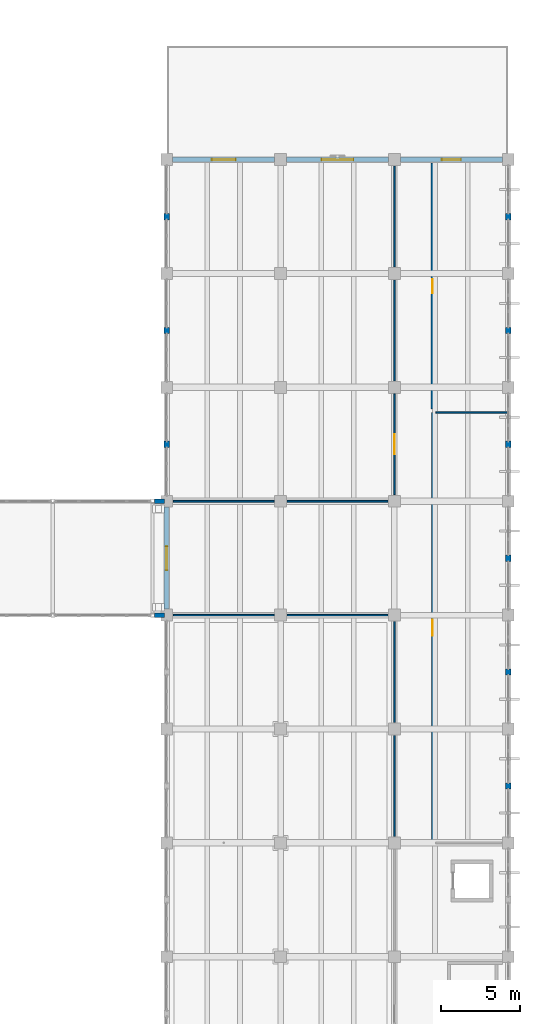
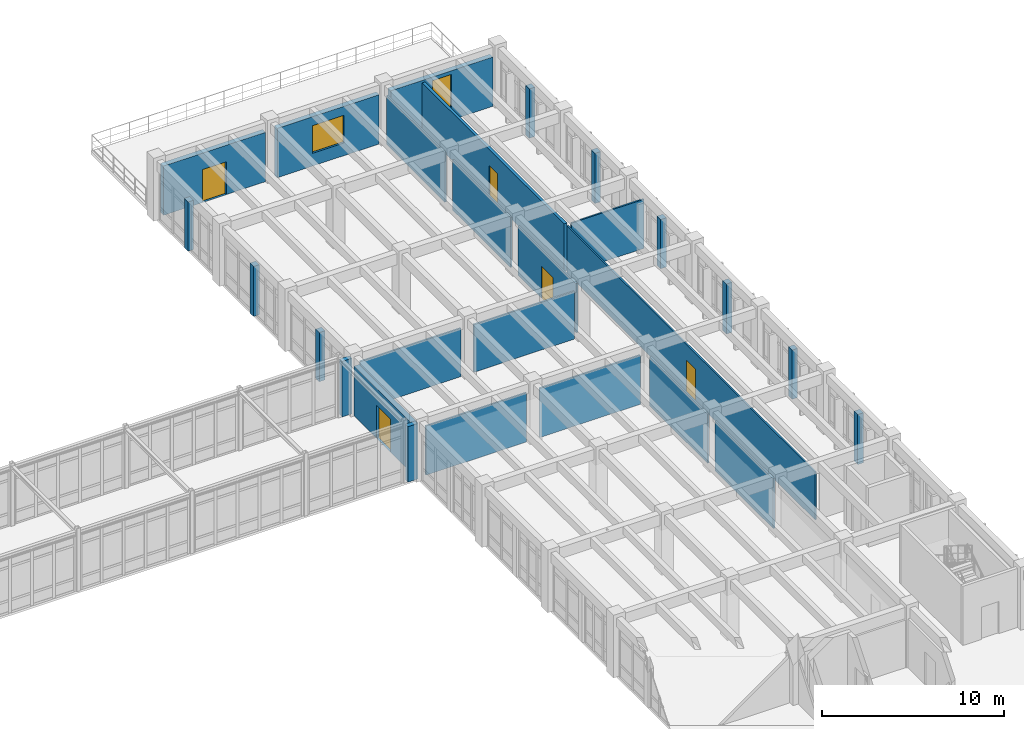
# One storey, part 118 of 136: 27 walls, 5 doors, 2 windows, 7 openings.
"""IFC4 building model written with IfcOpenShell, lengths in metres."""

from ifc_helpers import new_model, si_unit, direction, frame, frame_2d, origin, place, context, subcontext, project, spatial, rectangle, extrude, material, layer, layer_set, type_object, element, fill, save


model = new_model("IFC4")

# Units and contexts
model_context = context("Model", 3, precision=1e-05, world=origin(), true_north=direction((0.0, 1.0)))
body_context = subcontext(model_context, "Body", "Model", "MODEL_VIEW")
ifc_project = project(units=[si_unit("LENGTHUNIT", "METRE"), si_unit("AREAUNIT", "SQUARE_METRE"), si_unit("VOLUMEUNIT", "CUBIC_METRE"), si_unit("PLANEANGLEUNIT", "RADIAN"), si_unit("MASSUNIT", "GRAM", prefix="KILO")], contexts=[model_context])

# Site, building, storey
site_placement = place(None, origin())
site = spatial("IfcSite", under=ifc_project, at=site_placement, CompositionType="ELEMENT")
building_placement = place(site_placement, origin())
building = spatial("IfcBuilding", under=site, at=building_placement, Name="Koriwan Promenade Central Fire Station", CompositionType="ELEMENT")
storey_placement = place(building_placement, frame((0.0, 0.0, 5.39990234375)))
storey = spatial("IfcBuildingStorey", under=building, at=storey_placement, Name="L01", CompositionType="ELEMENT", Elevation=5.39990234375)

# Walls
ifc_material_1 = material(Name="Natural sillar sandstone ashlar", Category="masonry")
ifc_layer_1 = layer(ifc_material_1, 0.360107421875, Name="Natural sillar sandstone ashlar")
ifc_layer_set_1 = layer_set([ifc_layer_1], Name="Natural sillar sandstone ashlar")
wall_type_1 = type_object("IfcWallType", Name="ExtWall_SillarBase_360", PredefinedType="SOLIDWALL", material=ifc_layer_set_1)
wall_1_placement = place(storey_placement, frame((151.199951171875, 53.800048828125, 0.0), z_axis=(0.0, 0.0, 1.0), x_axis=(0.0, 1.0, 0.0)))
element("IfcWall", 1, at=wall_1_placement, inside=storey, type_object=wall_type_1, Name="V5 L01 sillar facade mullion pier 247", PredefinedType="SOLIDWALL", context=body_context, shape_type="SweptSolid", body=[
    extrude(rectangle(XDim=0.39990234375, YDim=0.360107421875, at=frame_2d((0.199951171875, 0.0))), origin(), (0.0, 0.0, 1.0), 3.2900390625),
])
wall_2_placement = place(storey_placement, frame((151.199951171875, 61.0, 0.0), z_axis=(0.0, 0.0, 1.0), x_axis=(0.0, 1.0, 0.0)))
element("IfcWall", 2, at=wall_2_placement, inside=storey, type_object=wall_type_1, Name="V5 L01 sillar facade mullion pier 248", PredefinedType="SOLIDWALL", context=body_context, shape_type="SweptSolid", body=[
    extrude(rectangle(XDim=0.39990234375, YDim=0.360107421875, at=frame_2d((0.199951171875, 0.0))), origin(), (0.0, 0.0, 1.0), 3.35009765625),
])
for number, where, z_axis, x_axis, name in (
    (3, (151.199951171875, 68.199951171875, 0.0), (0.0, 0.0, 1.0), (0.0, 1.0, 0.0), "V5 L01 sillar facade mullion pier 249"),
    (4, (172.800048828125, 68.60009765625, 0.0), (0.0, 0.0, 1.0), (0.0, -1.0, 0.0), "V5 L01 sillar facade mullion pier 253"),
):
    element("IfcWall", number, at=place(storey_placement, frame(where, z_axis=z_axis, x_axis=x_axis)), inside=storey, type_object=wall_type_1, Name=name, PredefinedType="SOLIDWALL", context=body_context, shape_type="SweptSolid", body=[
        extrude(rectangle(XDim=0.400146484375, YDim=0.360107421875, at=frame_2d((0.2001953125, 0.0))), origin(), (0.0, 0.0, 1.0), 3.300048828125),
    ])
wall_3_placement = place(storey_placement, frame((172.800048828125, 61.39990234375, 0.0), z_axis=(0.0, 0.0, 1.0), x_axis=(0.0, -1.0, 0.0)))
element("IfcWall", 5, at=wall_3_placement, inside=storey, type_object=wall_type_1, Name="V5 L01 sillar facade mullion pier 254", PredefinedType="SOLIDWALL", context=body_context, shape_type="SweptSolid", body=[
    extrude(rectangle(XDim=0.39990234375, YDim=0.360107421875, at=frame_2d((0.199951171875, 0.0))), origin(), (0.0, 0.0, 1.0), 3.35009765625),
])
wall_4_placement = place(storey_placement, frame((172.800048828125, 54.199951171875, 0.0), z_axis=(0.0, 0.0, 1.0), x_axis=(0.0, -1.0, 0.0)))
element("IfcWall", 6, at=wall_4_placement, inside=storey, type_object=wall_type_1, Name="V5 L01 sillar facade mullion pier 255", PredefinedType="SOLIDWALL", context=body_context, shape_type="SweptSolid", body=[
    extrude(rectangle(XDim=0.39990234375, YDim=0.360107421875, at=frame_2d((0.199951171875, 0.0))), origin(), (0.0, 0.0, 1.0), 3.2900390625),
])
wall_5_placement = place(storey_placement, frame((172.800048828125, 47.0, 0.0), z_axis=(0.0, 0.0, 1.0), x_axis=(0.0, -1.0, 0.0)))
element("IfcWall", 7, at=wall_5_placement, inside=storey, type_object=wall_type_1, Name="V5 L01 sillar facade mullion pier 256", PredefinedType="SOLIDWALL", context=body_context, shape_type="SweptSolid", body=[
    extrude(rectangle(XDim=0.39990234375, YDim=0.360107421875, at=frame_2d((0.199951171875, 0.0))), origin(), (0.0, 0.0, 1.0), 3.340087890625),
])
wall_6_placement = place(storey_placement, frame((172.800048828125, 39.800048828125, 0.0), z_axis=(0.0, 0.0, 1.0), x_axis=(0.0, -1.0, 0.0)))
element("IfcWall", 8, at=wall_6_placement, inside=storey, type_object=wall_type_1, Name="V5 L01 sillar facade mullion pier 257", PredefinedType="SOLIDWALL", context=body_context, shape_type="SweptSolid", body=[
    extrude(rectangle(XDim=0.400146484375, YDim=0.360107421875, at=frame_2d((0.2001953125, 0.0))), origin(), (0.0, 0.0, 1.0), 3.2900390625),
])
wall_7_placement = place(storey_placement, frame((172.800048828125, 32.60009765625, 0.0), z_axis=(0.0, 0.0, 1.0), x_axis=(0.0, -1.0, 0.0)))
element("IfcWall", 9, at=wall_7_placement, inside=storey, type_object=wall_type_1, Name="V5 L01 sillar facade mullion pier 258", PredefinedType="SOLIDWALL", context=body_context, shape_type="SweptSolid", body=[
    extrude(rectangle(XDim=0.400146484375, YDim=0.360107421875, at=frame_2d((0.2001953125, 0.0))), origin(), (0.0, 0.0, 1.0), 3.340087890625),
])
ifc_material_2 = material(Name="Precast concrete C40/50", Category="concrete")
ifc_layer_2 = layer(ifc_material_2, 0.280029296875, Name="Precast concrete C40/50")
ifc_layer_set_2 = layer_set([ifc_layer_2], Name="Precast concrete C40/50")
wall_type_2 = type_object("IfcWallType", Name="ExtWall_Terracotta_280", PredefinedType="ELEMENTEDWALL", material=ifc_layer_set_2)
for number, where, z_axis, x_axis, name in (
    (10, (150.425048828125, 43.199951171875, 0.0), (0.0, 0.0, 1.0), (1.0, 0.0, 0.0), "Bridge seismic joint closure panel S-363"),
    (11, (150.425048828125, 50.39990234375, 0.0), (0.0, 0.0, 1.0), (1.0, 0.0, 0.0), "Bridge seismic joint closure panel N-364"),
):
    element("IfcWall", number, at=place(storey_placement, frame(where, z_axis=z_axis, x_axis=x_axis)), inside=storey, type_object=wall_type_2, Name=name, PredefinedType="ELEMENTEDWALL", context=body_context, shape_type="SweptSolid", body=[
        extrude(rectangle(XDim=0.625, YDim=0.280029296875, at=frame_2d((0.3125, 0.0))), origin(), (0.0, 0.0, 1.0), 3.72021484375),
    ])

# Wall, opening, door
ifc_layer_3 = layer(ifc_material_2, 0.320068359375, Name="Precast concrete C40/50")
ifc_layer_set_3 = layer_set([ifc_layer_3], Name="Precast concrete C40/50")
wall_type_3 = type_object("IfcWallType", Name="ExtWall_Terracotta_320", PredefinedType="ELEMENTEDWALL", material=ifc_layer_set_3)
wall_8_placement = place(storey_placement, frame((151.199951171875, 43.574951171875, 0.0), z_axis=(0.0, 0.0, 1.0), x_axis=(0.0, 1.0, 0.0)))
wall_8 = element("IfcWall", 12, at=wall_8_placement, inside=storey, type_object=wall_type_3, Name="V5 L01 exterior wall 246", PredefinedType="ELEMENTEDWALL", context=body_context, shape_type="SweptSolid", body=[
    extrude(rectangle(XDim=6.449951171875, YDim=0.320068359375, at=frame_2d((3.22509765625, 0.0))), origin(), (0.0, 0.0, 1.0), 3.340087890625),
])
opening_1_placement = place(wall_8_placement, frame((2.47509765625, 0.0, 0.0)))
opening_1 = element("IfcOpeningElement", 13, at=opening_1_placement, cuts=wall_8, Name="Opening BD-024", PredefinedType="OPENING", context=body_context, shape_type="SweptSolid", body=[
    extrude(rectangle(XDim=1.5, YDim=2.199951171875, at=frame_2d((0.75, 1.10009765625))), frame((0.0, 0.171875, 0.0), z_axis=(0.0, -1.0, 0.0), x_axis=(1.0, 0.0, 0.0)), (0.0, 0.0, 1.0), 0.343994140625),
])
ifc_material_3 = material(Name="Aluminium EN AW-6063-T6 and laminated safety glass", Category="aluminium")
door_type_1 = type_object("IfcDoorType", Name="TerraceDoor_1500x2200", OperationType="DOUBLE_SWING_LEFT", PredefinedType="DOOR", material=ifc_material_3)
door_1_placement = place(opening_1_placement, origin())
door_1 = element("IfcDoor", 14, at=door_1_placement, inside=storey, type_object=door_type_1, Name="V5 L01 Link Bridge Level-Threshold Door BD-024", OperationType="DOUBLE_SWING_LEFT", OverallHeight=2.199951171875, OverallWidth=1.5, PredefinedType="DOOR", context=body_context, shape_type="SweptSolid", body=[
    extrude(rectangle(XDim=1.5, YDim=2.199951171875, at=frame_2d((0.75, 1.10009765625))), frame((0.0, 0.02490234375, 0.0), z_axis=(0.0, -1.0, 0.0), x_axis=(1.0, 0.0, 0.0)), (0.0, 0.0, 1.0), 0.050048828125),
])
fill(opening_1, door_1)

wall_9_placement = place(storey_placement, frame((151.574951171875, 72.0, 0.0), z_axis=(0.0, 0.0, 1.0), x_axis=(1.0, 0.0, 0.0)))
wall_9 = element("IfcWall", 15, at=wall_9_placement, inside=storey, type_object=wall_type_3, Name="V5 L01 exterior wall 250", PredefinedType="ELEMENTEDWALL", context=body_context, shape_type="SweptSolid", body=[
    extrude(rectangle(XDim=6.449951171875, YDim=0.320068359375, at=frame_2d((3.22509765625, 0.0))), origin(), (0.0, 0.0, 1.0), 3.300048828125),
])
opening_2_placement = place(wall_9_placement, frame((2.47509765625, 0.0, 0.0)))
opening_2 = element("IfcOpeningElement", 16, at=opening_2_placement, cuts=wall_9, Name="Opening TD-025", PredefinedType="OPENING", context=body_context, shape_type="SweptSolid", body=[
    extrude(rectangle(XDim=1.5, YDim=2.199951171875, at=frame_2d((0.75, 1.10009765625))), frame((0.0, 0.171875, 0.0), z_axis=(0.0, -1.0, 0.0), x_axis=(1.0, 0.0, 0.0)), (0.0, 0.0, 1.0), 0.343994140625),
])
door_2_placement = place(opening_2_placement, origin())
door_2 = element("IfcDoor", 17, at=door_2_placement, inside=storey, type_object=door_type_1, Name="V5 L01 Terrace Access Door TD-025", OperationType="DOUBLE_SWING_LEFT", OverallHeight=2.199951171875, OverallWidth=1.5, PredefinedType="DOOR", context=body_context, shape_type="SweptSolid", body=[
    extrude(rectangle(XDim=1.5, YDim=2.199951171875, at=frame_2d((0.75, 1.10009765625))), frame((0.0, 0.02490234375, 0.0), z_axis=(0.0, -1.0, 0.0), x_axis=(1.0, 0.0, 0.0)), (0.0, 0.0, 1.0), 0.050048828125),
])
fill(opening_2, door_2)

# Wall, opening, window
wall_10_placement = place(storey_placement, frame((158.77490234375, 72.0, 0.0), z_axis=(0.0, 0.0, 1.0), x_axis=(1.0, 0.0, 0.0)))
wall_10 = element("IfcWall", 18, at=wall_10_placement, inside=storey, type_object=wall_type_3, Name="V5 L01 exterior wall 251", PredefinedType="ELEMENTEDWALL", context=body_context, shape_type="SweptSolid", body=[
    extrude(rectangle(XDim=6.4501953125, YDim=0.320068359375, at=frame_2d((3.22509765625, 0.0))), origin(), (0.0, 0.0, 1.0), 3.300048828125),
])
opening_3_placement = place(wall_10_placement, frame((2.22509765625, 0.0, 0.85009765625)))
opening_3 = element("IfcOpeningElement", 19, at=opening_3_placement, cuts=wall_10, Name="Opening W-16", PredefinedType="OPENING", context=body_context, shape_type="SweptSolid", body=[
    extrude(rectangle(XDim=2.0, YDim=1.85009765625, at=frame_2d((1.0, 0.925048828125))), frame((0.0, 0.171875, 0.0), z_axis=(0.0, -1.0, 0.0), x_axis=(1.0, 0.0, 0.0)), (0.0, 0.0, 1.0), 0.343994140625),
])
ifc_material_4 = material(Name="Solar-control low-E laminated double glazing", Category="glass")
window_type_1 = type_object("IfcWindowType", Name="Win_Studio_2000x1850", PartitioningType="SINGLE_PANEL", PredefinedType="WINDOW", material=ifc_material_4)
window_1_placement = place(opening_3_placement, origin())
window_1 = element("IfcWindow", 20, at=window_1_placement, inside=storey, type_object=window_type_1, Name="V5 L01 window 0096", OverallHeight=1.85009765625, OverallWidth=2.0, PartitioningType="SINGLE_PANEL", PredefinedType="WINDOW", context=body_context, shape_type="SweptSolid", body=[
    extrude(rectangle(XDim=2.0, YDim=1.85009765625, at=frame_2d((1.0, 0.925048828125))), frame((0.0, 0.030029296875, 0.0), z_axis=(0.0, -1.0, 0.0), x_axis=(1.0, 0.0, 0.0)), (0.0, 0.0, 1.0), 0.06005859375),
])
fill(opening_3, window_1)

wall_11_placement = place(storey_placement, frame((165.97509765625, 72.0, 0.0), z_axis=(0.0, 0.0, 1.0), x_axis=(1.0, 0.0, 0.0)))
wall_11 = element("IfcWall", 21, at=wall_11_placement, inside=storey, type_object=wall_type_3, Name="V5 L01 exterior wall 252", PredefinedType="ELEMENTEDWALL", context=body_context, shape_type="SweptSolid", body=[
    extrude(rectangle(XDim=6.449951171875, YDim=0.320068359375, at=frame_2d((3.22509765625, 0.0))), origin(), (0.0, 0.0, 1.0), 3.300048828125),
])
opening_4_placement = place(wall_11_placement, frame((2.625, 0.0, 0.85009765625)))
opening_4 = element("IfcOpeningElement", 22, at=opening_4_placement, cuts=wall_11, Name="Opening W-01", PredefinedType="OPENING", context=body_context, shape_type="SweptSolid", body=[
    extrude(rectangle(XDim=1.199951171875, YDim=2.199951171875, at=frame_2d((0.60009765625, 1.10009765625))), frame((0.0, 0.171875, 0.0), z_axis=(0.0, -1.0, 0.0), x_axis=(1.0, 0.0, 0.0)), (0.0, 0.0, 1.0), 0.343994140625),
])
window_type_2 = type_object("IfcWindowType", Name="Win_Jharokha_1200x2200", PartitioningType="SINGLE_PANEL", PredefinedType="WINDOW", material=ifc_material_4)
window_2_placement = place(opening_4_placement, origin())
window_2 = element("IfcWindow", 23, at=window_2_placement, inside=storey, type_object=window_type_2, Name="V5 L01 window 0097", OverallHeight=2.199951171875, OverallWidth=1.199951171875, PartitioningType="SINGLE_PANEL", PredefinedType="WINDOW", context=body_context, shape_type="SweptSolid", body=[
    extrude(rectangle(XDim=1.199951171875, YDim=2.199951171875, at=frame_2d((0.60009765625, 1.10009765625))), frame((0.0, 0.030029296875, 0.0), z_axis=(0.0, -1.0, 0.0), x_axis=(1.0, 0.0, 0.0)), (0.0, 0.0, 1.0), 0.06005859375),
])
fill(opening_4, window_2)

# Walls
ifc_material_5 = material(Name="Gypsum board acoustic stud partition", Category="gypsum")
ifc_layer_4 = layer(ifc_material_5, 0.10009765625, Name="Gypsum board acoustic stud partition")
ifc_layer_set_4 = layer_set([ifc_layer_4], Name="Gypsum board acoustic stud partition")
wall_type_4 = type_object("IfcWallType", Name="IntWall_Drywall_100", PredefinedType="PARTITIONING", material=ifc_layer_set_4)
wall_12_placement = place(storey_placement, frame((165.60009765625, 29.215087890625, 0.0), z_axis=(0.0, 0.0, 1.0), x_axis=(0.0, 1.0, 0.0)))
element("IfcWall", 24, at=wall_12_placement, inside=storey, type_object=wall_type_4, Name="Metropolitan Brigade Operations Office partition E", PredefinedType="PARTITIONING", context=body_context, shape_type="SweptSolid", body=[
    extrude(rectangle(XDim=6.369873046875, YDim=0.10009765625, at=frame_2d((3.18505859375, 0.0))), origin(), (0.0, 0.0, 1.0), 3.338134765625),
])
wall_13_placement = place(storey_placement, frame((165.60009765625, 36.4150390625, 0.0), z_axis=(0.0, 0.0, 1.0), x_axis=(0.0, 1.0, 0.0)))
element("IfcWall", 25, at=wall_13_placement, inside=storey, type_object=wall_type_4, Name="Metropolitan Brigade Operations Office partition E", PredefinedType="PARTITIONING", context=body_context, shape_type="SweptSolid", body=[
    extrude(rectangle(XDim=6.369873046875, YDim=0.10009765625, at=frame_2d((3.18505859375, 0.0))), origin(), (0.0, 0.0, 1.0), 3.2880859375),
])
for number, where, z_axis, x_axis, name in (
    (26, (151.614990234375, 43.199951171875, 0.0), (0.0, 0.0, 1.0), (1.0, 0.0, 0.0), "Metropolitan Brigade Operations Office partition N"),
    (27, (158.81494140625, 43.199951171875, 0.0), (0.0, 0.0, 1.0), (1.0, 0.0, 0.0), "Metropolitan Brigade Operations Office partition N"),
):
    element("IfcWall", number, at=place(storey_placement, frame(where, z_axis=z_axis, x_axis=x_axis)), inside=storey, type_object=wall_type_4, Name=name, PredefinedType="PARTITIONING", context=body_context, shape_type="SweptSolid", body=[
        extrude(rectangle(XDim=6.3701171875, YDim=0.10009765625, at=frame_2d((3.18505859375, 0.0))), origin(), (0.0, 0.0, 1.0), 3.2880859375),
    ])

# Wall, opening, door
wall_14_placement = place(storey_placement, frame((168.0, 28.800048828125, 0.0), z_axis=(0.0, 0.0, 1.0), x_axis=(0.0, 1.0, 0.0)))
wall_14 = element("IfcWall", 28, at=wall_14_placement, inside=storey, type_object=wall_type_4, Name="Headquarters Staff Pantry and Break Lounge partition W", PredefinedType="PARTITIONING", context=body_context, shape_type="SweptSolid", body=[
    extrude(rectangle(XDim=27.199951171875, YDim=0.10009765625, at=frame_2d((13.60009765625, 0.0))), origin(), (0.0, 0.0, 1.0), 3.18798828125),
])
opening_5_placement = place(wall_14_placement, frame((13.10009765625, 0.0, 0.0)))
opening_5 = element("IfcOpeningElement", 29, at=opening_5_placement, cuts=wall_14, Name="Opening D-162", PredefinedType="OPENING", context=body_context, shape_type="SweptSolid", body=[
    extrude(rectangle(XDim=1.0, YDim=2.14990234375, at=frame_2d((0.5, 1.074951171875))), frame((0.0, 0.06201171875, 0.0), z_axis=(0.0, -1.0, 0.0), x_axis=(1.0, 0.0, 0.0)), (0.0, 0.0, 1.0), 0.1240234375),
])
ifc_material_6 = material(Name="Hardwood veneer solid-core timber", Category="wood")
door_type_2 = type_object("IfcDoorType", Name="RoomDoor_Office_1000x2150", OperationType="NOTDEFINED", PredefinedType="DOOR", material=ifc_material_6)
door_3_placement = place(opening_5_placement, origin())
door_3 = element("IfcDoor", 30, at=door_3_placement, inside=storey, type_object=door_type_2, Name="Headquarters Staff Pantry and Break Lounge Door D-162", OperationType="SINGLE_SWING_RIGHT", OverallHeight=2.14990234375, OverallWidth=1.0, PredefinedType="DOOR", context=body_context, shape_type="SweptSolid", body=[
    extrude(rectangle(XDim=1.0, YDim=2.14990234375, at=frame_2d((0.5, 1.074951171875))), frame((0.0, 0.02490234375, 0.0), z_axis=(0.0, -1.0, 0.0), x_axis=(1.0, 0.0, 0.0)), (0.0, 0.0, 1.0), 0.050048828125),
])
fill(opening_5, door_3)

# Wall
wall_15_placement = place(storey_placement, frame((168.219970703125, 56.0, 0.0), z_axis=(0.0, 0.0, 1.0), x_axis=(1.0, 0.0, 0.0)))
element("IfcWall", 31, at=wall_15_placement, inside=storey, type_object=wall_type_4, Name="Headquarters Staff Pantry and Break Lounge partition N", PredefinedType="PARTITIONING", context=body_context, shape_type="SweptSolid", body=[
    extrude(rectangle(XDim=4.580078125, YDim=0.10009765625, at=frame_2d((2.2900390625, 0.0))), origin(), (0.0, 0.0, 1.0), 3.2880859375),
])

# Wall, opening, door
wall_16_placement = place(storey_placement, frame((165.60009765625, 50.81494140625, 0.0), z_axis=(0.0, 0.0, 1.0), x_axis=(0.0, 1.0, 0.0)))
wall_16 = element("IfcWall", 32, at=wall_16_placement, inside=storey, type_object=wall_type_4, Name="Fire Investigation Forensics Laboratory partition E", PredefinedType="PARTITIONING", context=body_context, shape_type="SweptSolid", body=[
    extrude(rectangle(XDim=6.3701171875, YDim=0.10009765625, at=frame_2d((3.18505859375, 0.0))), origin(), (0.0, 0.0, 1.0), 3.2880859375),
])
opening_6_placement = place(wall_16_placement, frame((2.56005859375, 0.0, 0.0)))
opening_6 = element("IfcOpeningElement", 33, at=opening_6_placement, cuts=wall_16, Name="Opening D-164", PredefinedType="OPENING", context=body_context, shape_type="SweptSolid", body=[
    extrude(rectangle(XDim=1.25, YDim=2.14990234375, at=frame_2d((0.625, 1.074951171875))), frame((0.0, 0.06201171875, 0.0), z_axis=(0.0, -1.0, 0.0), x_axis=(1.0, 0.0, 0.0)), (0.0, 0.0, 1.0), 0.1240234375),
])
door_type_3 = type_object("IfcDoorType", Name="RoomDoor_Lab_1250x2150", OperationType="NOTDEFINED", PredefinedType="DOOR", material=ifc_material_6)
door_4_placement = place(opening_6_placement, origin())
door_4 = element("IfcDoor", 34, at=door_4_placement, inside=storey, type_object=door_type_3, Name="Fire Investigation Forensics Laboratory Door D-164", OperationType="SINGLE_SWING_RIGHT", OverallHeight=2.14990234375, OverallWidth=1.25, PredefinedType="DOOR", context=body_context, shape_type="SweptSolid", body=[
    extrude(rectangle(XDim=1.25, YDim=2.14990234375, at=frame_2d((0.625, 1.074951171875))), frame((0.0, 0.02490234375, 0.0), z_axis=(0.0, -1.0, 0.0), x_axis=(1.0, 0.0, 0.0)), (0.0, 0.0, 1.0), 0.050048828125),
])
fill(opening_6, door_4)

# Walls
wall_17_placement = place(storey_placement, frame((165.60009765625, 58.014892578125, 0.0), z_axis=(0.0, 0.0, 1.0), x_axis=(0.0, 1.0, 0.0)))
element("IfcWall", 35, at=wall_17_placement, inside=storey, type_object=wall_type_4, Name="Fire Investigation Forensics Laboratory partition E", PredefinedType="PARTITIONING", context=body_context, shape_type="SweptSolid", body=[
    extrude(rectangle(XDim=6.3701171875, YDim=0.10009765625, at=frame_2d((3.18505859375, 0.0))), origin(), (0.0, 0.0, 1.0), 3.34814453125),
])
wall_18_placement = place(storey_placement, frame((165.60009765625, 65.215087890625, 0.0), z_axis=(0.0, 0.0, 1.0), x_axis=(0.0, 1.0, 0.0)))
element("IfcWall", 36, at=wall_18_placement, inside=storey, type_object=wall_type_4, Name="Fire Investigation Forensics Laboratory partition E", PredefinedType="PARTITIONING", context=body_context, shape_type="SweptSolid", body=[
    extrude(rectangle(XDim=6.369873046875, YDim=0.10009765625, at=frame_2d((3.18505859375, 0.0))), origin(), (0.0, 0.0, 1.0), 3.298095703125),
])
wall_19_placement = place(storey_placement, frame((151.614990234375, 50.39990234375, 0.0), z_axis=(0.0, 0.0, 1.0), x_axis=(1.0, 0.0, 0.0)))
element("IfcWall", 37, at=wall_19_placement, inside=storey, type_object=wall_type_4, Name="Fire Investigation Forensics Laboratory partition S", PredefinedType="PARTITIONING", context=body_context, shape_type="SweptSolid", body=[
    extrude(rectangle(XDim=6.3701171875, YDim=0.10009765625, at=frame_2d((3.18505859375, 0.0))), origin(), (0.0, 0.0, 1.0), 3.238037109375),
])
wall_20_placement = place(storey_placement, frame((158.81494140625, 50.39990234375, 0.0), z_axis=(0.0, 0.0, 1.0), x_axis=(1.0, 0.0, 0.0)))
element("IfcWall", 38, at=wall_20_placement, inside=storey, type_object=wall_type_4, Name="Fire Investigation Forensics Laboratory partition S", PredefinedType="PARTITIONING", context=body_context, shape_type="SweptSolid", body=[
    extrude(rectangle(XDim=6.3701171875, YDim=0.10009765625, at=frame_2d((3.18505859375, 0.0))), origin(), (0.0, 0.0, 1.0), 3.18798828125),
])

# Wall, opening, door
ifc_material_7 = material(Name="Moisture-resistant sanitary chase wall", Category="gypsum")
ifc_layer_5 = layer(ifc_material_7, 0.179931640625, Name="Moisture-resistant sanitary chase wall")
ifc_layer_set_5 = layer_set([ifc_layer_5], Name="Moisture-resistant sanitary chase wall")
wall_type_5 = type_object("IfcWallType", Name="IntWall_Plumbing_180", PredefinedType="PLUMBINGWALL", material=ifc_layer_set_5)
wall_21_placement = place(storey_placement, frame((168.0, 56.219970703125, 0.0), z_axis=(0.0, 0.0, 1.0), x_axis=(0.0, 1.0, 0.0)))
wall_21 = element("IfcWall", 39, at=wall_21_placement, inside=storey, type_object=wall_type_5, Name="Headquarters L01 Male Female and Accessible WCs partition W", PredefinedType="PLUMBINGWALL", context=body_context, shape_type="SweptSolid", body=[
    extrude(rectangle(XDim=15.56005859375, YDim=0.179931640625, at=frame_2d((7.780029296875, 0.0))), origin(), (0.0, 0.0, 1.0), 3.18798828125),
])
opening_7_placement = place(wall_21_placement, frame((7.330078125, 0.0, 0.0)))
opening_7 = element("IfcOpeningElement", 40, at=opening_7_placement, cuts=wall_21, Name="Opening D-163", PredefinedType="OPENING", context=body_context, shape_type="SweptSolid", body=[
    extrude(rectangle(XDim=0.89990234375, YDim=2.10009765625, at=frame_2d((0.449951171875, 1.050048828125))), frame((0.0, 0.10205078125, 0.0), z_axis=(0.0, -1.0, 0.0), x_axis=(1.0, 0.0, 0.0)), (0.0, 0.0, 1.0), 0.203857421875),
])
ifc_material_8 = material(Name="High-pressure laminate moisture-resistant core", Category="wood")
door_type_4 = type_object("IfcDoorType", Name="RoomDoor_WC_900x2100", OperationType="NOTDEFINED", PredefinedType="DOOR", material=ifc_material_8)
door_5_placement = place(opening_7_placement, origin())
door_5 = element("IfcDoor", 41, at=door_5_placement, inside=storey, type_object=door_type_4, Name="Headquarters L01 Male Female and Accessible WCs Door D-163", OperationType="SINGLE_SWING_LEFT", OverallHeight=2.10009765625, OverallWidth=0.89990234375, PredefinedType="DOOR", context=body_context, shape_type="SweptSolid", body=[
    extrude(rectangle(XDim=0.89990234375, YDim=2.10009765625, at=frame_2d((0.449951171875, 1.050048828125))), frame((0.0, 0.02490234375, 0.0), z_axis=(0.0, -1.0, 0.0), x_axis=(1.0, 0.0, 0.0)), (0.0, 0.0, 1.0), 0.050048828125),
])
fill(opening_7, door_5)

save(model, "model.ifc")
